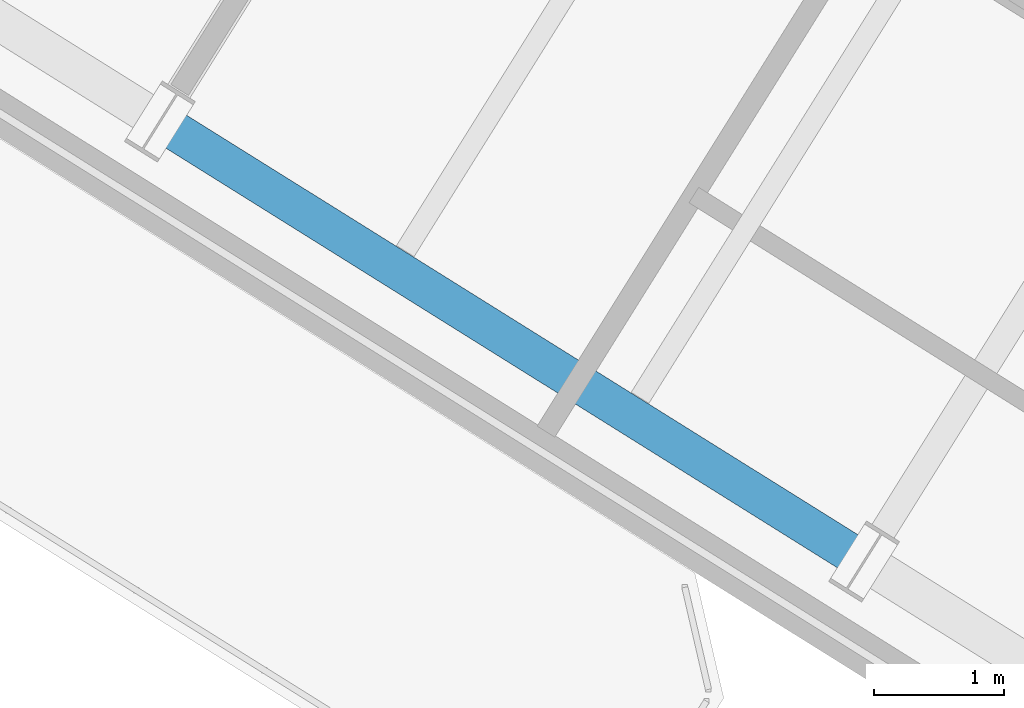
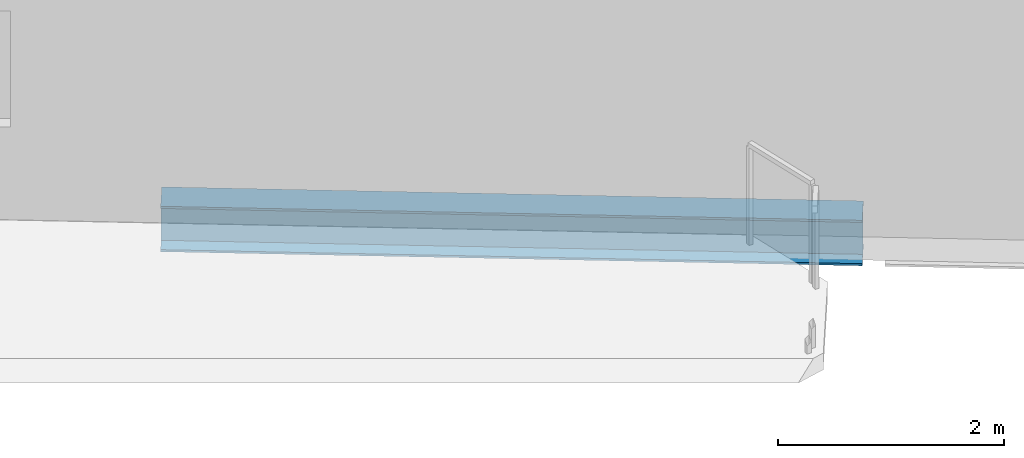
# One storey, part 5 of 34: 1 beam.
"""IFC4 building model written with IfcOpenShell, lengths in metres."""

from ifc_helpers import new_model, si_unit, direction, frame, origin, origin_2d, place, context, subcontext, project, spatial, i_section, extrude, source, transform, mapped, material, material_profile, profile_set, type_object, element, save


model = new_model("IFC4")

# Units and contexts
model_context = context("Model", 3, precision=1e-05, world=origin(), true_north=direction((0.0, 1.0)))
body_context = subcontext(model_context, "Body", "Model", "MODEL_VIEW")
ifc_project = project(units=[si_unit("LENGTHUNIT", "METRE"), si_unit("AREAUNIT", "SQUARE_METRE"), si_unit("VOLUMEUNIT", "CUBIC_METRE"), si_unit("PLANEANGLEUNIT", "RADIAN"), si_unit("MASSUNIT", "GRAM", prefix="KILO")], contexts=[model_context])

# Site, building, storey
site_placement = place(None, origin())
site = spatial("IfcSite", under=ifc_project, at=site_placement, CompositionType="ELEMENT")
building_placement = place(site_placement, origin())
building = spatial("IfcBuilding", under=site, at=building_placement, Name="Tlacorven Tower", CompositionType="ELEMENT")
storey_placement = place(building_placement, frame((0.0, 0.0, 174.89990234375)))
storey = spatial("IfcBuildingStorey", under=building, at=storey_placement, Name="L44", CompositionType="ELEMENT", Elevation=174.89990234375)

# Beam
ifc_material = material(Name="Steel S355J2", Category="steel")
ifc_material_profile = material_profile(ifc_material, i_section(OverallWidth=0.300048828125, OverallDepth=0.489990234375, WebThickness=0.011962890625, FlangeThickness=0.02294921875, at=origin_2d()), Name="HEA 500")
ifc_profile_set = profile_set([ifc_material_profile], Name="Steel S355J2")
beam_type = type_object("IfcBeamType", Name="BM-SPN-500", PredefinedType="SPANDREL", material=ifc_profile_set)
shared_shape = source(origin(), body_context, "Body", "SweptSolid", [
    extrude(i_section(OverallWidth=0.300048828125, OverallDepth=0.489990234375, WebThickness=0.011962890625, FlangeThickness=0.02294921875, at=origin_2d()), origin(), (0.0, 0.0, 1.0), 6.199951171875),
])
beam_placement = place(storey_placement, frame((18.82080078125, 13.6650390625, -0.494873046875), z_axis=(-0.848051394107, 0.529913986372, 0.0), x_axis=(-0.529913986372, -0.848051394107, 0.0)))
element("IfcBeam", 1, at=beam_placement, inside=storey, type_object=beam_type, Name="L44 beam BM-L44-WL4-3", PredefinedType="SPANDREL", context=body_context, shape_type="MappedRepresentation", body=[
    mapped(shared_shape, transform((0.0, 0.0, 0.0), scale=1.0)),
])

save(model, "model.ifc")
